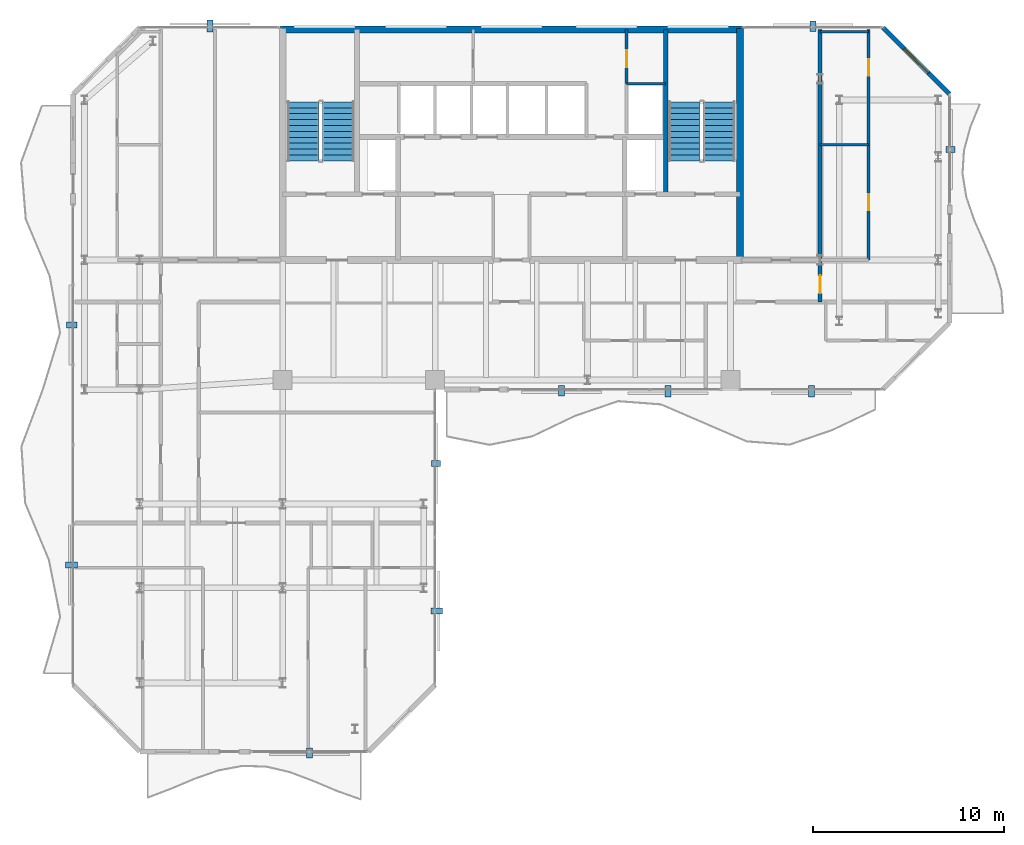
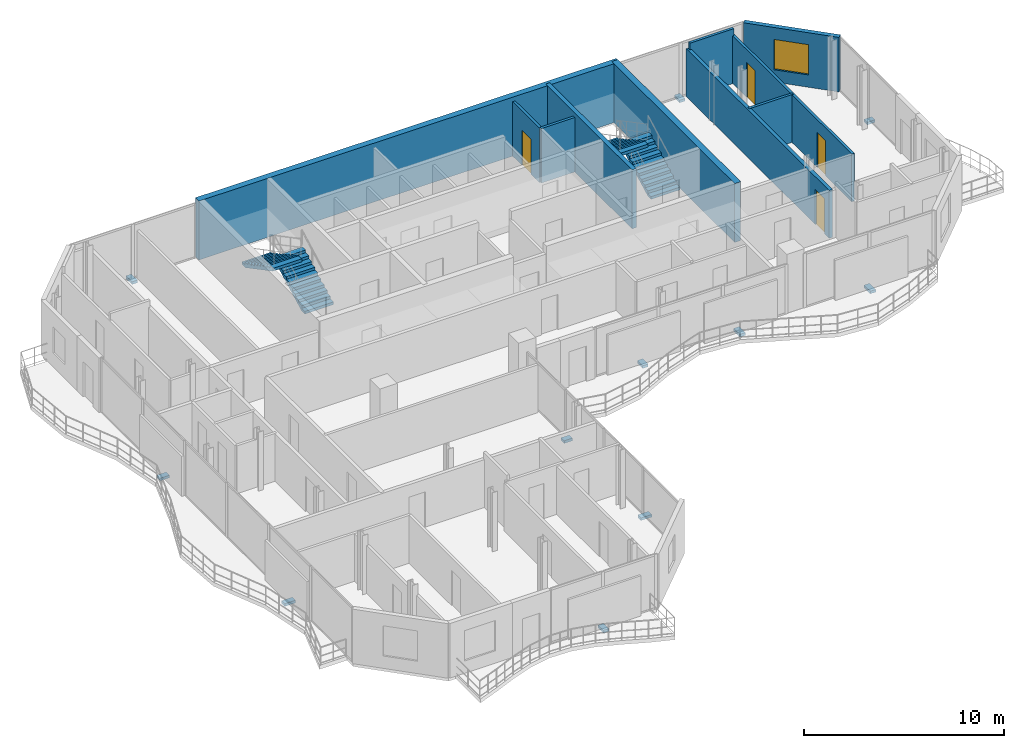
# One storey, part 20 of 23: 11 discrete accessories, 10 walls, 4 doors, 4 stair flights, 1 window, 5 openings, 2 elements without a shape of their own.
"""IFC4 building model written with IfcOpenShell, lengths in metres."""

from ifc_helpers import new_model, si_unit, direction, frame, frame_2d, origin, origin_2d, place, context, subcontext, project, spatial, polyline, rectangle, outline, extrude, material, layer, layer_set, type_object, element, fill, aggregate, save


model = new_model("IFC4")

# Units and contexts
model_context = context("Model", 3, precision=1e-05, world=origin(), true_north=direction((0.0, 1.0)))
body_context = subcontext(model_context, "Body", "Model", "MODEL_VIEW")
ifc_project = project(units=[si_unit("LENGTHUNIT", "METRE"), si_unit("AREAUNIT", "SQUARE_METRE"), si_unit("VOLUMEUNIT", "CUBIC_METRE"), si_unit("PLANEANGLEUNIT", "RADIAN"), si_unit("MASSUNIT", "GRAM", prefix="KILO")], contexts=[model_context])

# Site, building, storey
site_placement = place(None, origin())
site = spatial("IfcSite", under=ifc_project, at=site_placement, CompositionType="ELEMENT")
building_placement = place(site_placement, origin())
building = spatial("IfcBuilding", under=site, at=building_placement, Name="Catumbela Crestline Tower", CompositionType="ELEMENT")
storey_placement = place(building_placement, frame((0.0, 0.0, 193.8)))
storey = spatial("IfcBuildingStorey", under=building, at=storey_placement, Name="L50", CompositionType="ELEMENT", Elevation=193.8)

# Walls
ifc_material_1 = material(Name="Concrete C50/60", Category="concrete")
ifc_layer_1 = layer(ifc_material_1, 0.25, Name="Concrete C50/60")
ifc_layer_set_1 = layer_set([ifc_layer_1], Name="Concrete C50/60")
wall_type_1 = type_object("IfcWallType", Name="CW-250D", PredefinedType="SHEAR", material=ifc_layer_set_1)
wall_1_placement = place(storey_placement, frame((36.1, 34.25, 0.0), z_axis=(0.0, 0.0, 1.0), x_axis=(0.0, 1.0, 0.0)))
element("IfcWall", 1, at=wall_1_placement, inside=storey, type_object=wall_type_1, Name="L50 Structural Core Shear Wall EWEB", PredefinedType="SHEAR", context=body_context, shape_type="SweptSolid", body=[
    extrude(rectangle(XDim=8.65, YDim=0.25, at=frame_2d((4.325, 0.0))), origin(), (0.0, 0.0, 1.0), 3.6),
])
ifc_layer_2 = layer(ifc_material_1, 0.35, Name="Concrete C50/60")
ifc_layer_set_2 = layer_set([ifc_layer_2], Name="Concrete C50/60")
wall_type_2 = type_object("IfcWallType", Name="CW-350B", PredefinedType="SHEAR", material=ifc_layer_set_2)
wall_2_placement = place(storey_placement, frame((40.0, 30.65, 0.0), z_axis=(0.0, 0.0, 1.0), x_axis=(0.0, 1.0, 0.0)))
element("IfcWall", 2, at=wall_2_placement, inside=storey, type_object=wall_type_2, Name="L50 Structural Core Shear Wall E", PredefinedType="SHEAR", context=body_context, shape_type="SweptSolid", body=[
    extrude(rectangle(XDim=12.3, YDim=0.35, at=frame_2d((6.15, 0.0))), origin(), (0.0, 0.0, 1.0), 3.6),
])
ifc_layer_3 = layer(ifc_material_1, 0.35, Name="Concrete C50/60")
ifc_layer_set_3 = layer_set([ifc_layer_3], Name="Concrete C50/60")
wall_type_3 = type_object("IfcWallType", Name="CW-350E", PredefinedType="SHEAR", material=ifc_layer_set_3)
wall_3_placement = place(storey_placement, frame((15.85, 42.9, 0.0), z_axis=(0.0, 0.0, 1.0), x_axis=(1.0, 0.0, 0.0)))
element("IfcWall", 3, at=wall_3_placement, inside=storey, type_object=wall_type_3, Name="L50 Structural Core Shear Wall N", PredefinedType="SHEAR", context=body_context, shape_type="SweptSolid", body=[
    extrude(rectangle(XDim=24.3, YDim=0.35, at=frame_2d((12.15, 0.0))), origin(), (0.0, 0.0, 1.0), 3.6),
])

# Wall, opening, door
ifc_material_2 = material(Name="Acoustic gypsum and mineral-wool partition")
ifc_layer_4 = layer(ifc_material_2, 0.2, Name="Acoustic gypsum and mineral-wool partition")
ifc_layer_set_4 = layer_set([ifc_layer_4], Name="Acoustic gypsum and mineral-wool partition")
wall_type_4 = type_object("IfcWallType", Name="WC-200", PredefinedType="PARTITIONING", material=ifc_layer_set_4)
wall_4_placement = place(storey_placement, frame((44.2, 28.6, 0.0), z_axis=(0.0, 0.0, 1.0), x_axis=(0.0, 1.0, 0.0)))
wall_4 = element("IfcWall", 4, at=wall_4_placement, inside=storey, type_object=wall_type_4, Name="L50 Interior Partition PW-L50-NE1-ENT", PredefinedType="PARTITIONING", context=body_context, shape_type="SweptSolid", body=[
    extrude(rectangle(XDim=14.3, YDim=0.2, at=frame_2d((7.15, 0.0))), origin(), (0.0, 0.0, 1.0), 2.92),
])
opening_1_placement = place(wall_4_placement, frame((0.445, 0.0, 0.0)))
opening_1 = element("IfcOpeningElement", 5, at=opening_1_placement, cuts=wall_4, Name="Opening DF6-095", PredefinedType="OPENING", context=body_context, shape_type="SweptSolid", body=[
    extrude(rectangle(XDim=0.95, YDim=2.15, at=frame_2d((0.475, 1.075))), frame((0.0, 0.11, 0.0), z_axis=(0.0, -1.0, 0.0), x_axis=(1.0, 0.0, 0.0)), (0.0, 0.0, 1.0), 0.22),
])
ifc_material_3 = material(Name="Aluminium alloy AW-6060-T66", Category="aluminium")
door_type_1 = type_object("IfcDoorType", Name="DF6-095", OperationType="NOTDEFINED", PredefinedType="DOOR", material=ifc_material_3)
door_1_placement = place(opening_1_placement, origin())
door_1 = element("IfcDoor", 6, at=door_1_placement, inside=storey, type_object=door_type_1, Name="L50 Interior Door DR-L50-NE1-ENT", OperationType="SINGLE_SWING_LEFT", OverallHeight=2.15, OverallWidth=0.95, PredefinedType="DOOR", context=body_context, shape_type="SweptSolid", body=[
    extrude(rectangle(XDim=0.95, YDim=2.15, at=frame_2d((0.475, 1.075))), frame((0.0, 0.025, 0.0), z_axis=(0.0, -1.0, 0.0), x_axis=(1.0, 0.0, 0.0)), (0.0, 0.0, 1.0), 0.05),
])
fill(opening_1, door_1)

# Wall, opening, window
ifc_material_4 = material(Name="Angolan grey-ochre granite", Category="masonry")
ifc_layer_5 = layer(ifc_material_4, 0.25, Name="Angolan grey-ochre granite")
ifc_layer_set_5 = layer_set([ifc_layer_5], Name="Angolan grey-ochre granite")
wall_type_5 = type_object("IfcWallType", Name="WE-250", PredefinedType="STANDARD", material=ifc_layer_set_5)
wall_5_placement = place(storey_placement, frame((51.0, 39.5, 0.0), z_axis=(0.0, 0.0, 1.0), x_axis=(-0.707106781187, 0.707106781187, 0.0)))
wall_5 = element("IfcWall", 7, at=wall_5_placement, inside=storey, type_object=wall_type_5, Name="L50 Granite Punched Window Wall 6-1", PredefinedType="STANDARD", context=body_context, shape_type="SweptSolid", body=[
    extrude(rectangle(XDim=4.9497, YDim=0.25, at=frame_2d((2.4748, 0.0))), origin(), (0.0, 0.0, 1.0), 3.33),
])
opening_2_placement = place(wall_5_placement, frame((1.5749, 0.0, 0.75)))
opening_2 = element("IfcOpeningElement", 8, at=opening_2_placement, cuts=wall_5, Name="Opening WN-01", PredefinedType="OPENING", context=body_context, shape_type="SweptSolid", body=[
    extrude(rectangle(XDim=1.8, YDim=1.85, at=frame_2d((0.9, 0.925))), frame((0.0, 0.135, 0.0), z_axis=(0.0, -1.0, 0.0), x_axis=(1.0, 0.0, 0.0)), (0.0, 0.0, 1.0), 0.27),
])
ifc_material_5 = material(Name="Low-E laminated solar-control double glazing", Category="glass")
window_type = type_object("IfcWindowType", Name="WF-1800", PartitioningType="SINGLE_PANEL", PredefinedType="WINDOW", material=ifc_material_5)
window_placement = place(opening_2_placement, origin())
window = element("IfcWindow", 9, at=window_placement, inside=storey, type_object=window_type, Name="L50 Facade Vision Window 329", OverallHeight=1.85, OverallWidth=1.8, PartitioningType="SINGLE_PANEL", PredefinedType="WINDOW", context=body_context, shape_type="SweptSolid", body=[
    extrude(rectangle(XDim=1.8, YDim=1.85, at=frame_2d((0.9, 0.925))), frame((0.0, 0.03, 0.0), z_axis=(0.0, -1.0, 0.0), x_axis=(1.0, 0.0, 0.0)), (0.0, 0.0, 1.0), 0.06),
])
fill(opening_2, window)

# Wall
ifc_layer_6 = layer(ifc_material_2, 0.15, Name="Acoustic gypsum and mineral-wool partition")
ifc_layer_set_6 = layer_set([ifc_layer_6], Name="Acoustic gypsum and mineral-wool partition")
wall_type_6 = type_object("IfcWallType", Name="WP-150", PredefinedType="PARTITIONING", material=ifc_layer_set_6)
wall_6_placement = place(storey_placement, frame((34.05, 40.05, 0.0), z_axis=(0.0, 0.0, 1.0), x_axis=(1.0, 0.0, 0.0)))
element("IfcWall", 10, at=wall_6_placement, inside=storey, type_object=wall_type_6, Name="L50 Interior Partition PW-L50-CR-ES", PredefinedType="PARTITIONING", context=body_context, shape_type="SweptSolid", body=[
    extrude(rectangle(XDim=2.05, YDim=0.15, at=frame_2d((1.025, 0.0))), origin(), (0.0, 0.0, 1.0), 3.33),
])

# Wall, opening, door
wall_7_placement = place(storey_placement, frame((34.05, 40.05, 0.0), z_axis=(0.0, 0.0, 1.0), x_axis=(0.0, 1.0, 0.0)))
wall_7 = element("IfcWall", 11, at=wall_7_placement, inside=storey, type_object=wall_type_6, Name="L50 Interior Partition PW-L50-CR-EW", PredefinedType="PARTITIONING", context=body_context, shape_type="SweptSolid", body=[
    extrude(rectangle(XDim=2.85, YDim=0.15, at=frame_2d((1.425, 0.0))), origin(), (0.0, 0.0, 1.0), 3.33),
])
opening_3_placement = place(wall_7_placement, frame((0.865, 0.0, 0.0)))
opening_3 = element("IfcOpeningElement", 12, at=opening_3_placement, cuts=wall_7, Name="Opening DF9-090", PredefinedType="OPENING", context=body_context, shape_type="SweptSolid", body=[
    extrude(rectangle(XDim=0.9, YDim=2.15, at=frame_2d((0.45, 1.075))), frame((0.0, 0.085, 0.0), z_axis=(0.0, -1.0, 0.0), x_axis=(1.0, 0.0, 0.0)), (0.0, 0.0, 1.0), 0.17),
])
ifc_material_6 = material(Name="Stainless steel EN 1.4401", Category="steel")
door_type_2 = type_object("IfcDoorType", Name="DF9-090", OperationType="NOTDEFINED", PredefinedType="DOOR", material=ifc_material_6)
door_2_placement = place(opening_3_placement, origin())
door_2 = element("IfcDoor", 13, at=door_2_placement, inside=storey, type_object=door_type_2, Name="L50 Interior Door DR-L50-CREAST", OperationType="SINGLE_SWING_RIGHT", OverallHeight=2.15, OverallWidth=0.9, PredefinedType="DOOR", context=body_context, shape_type="SweptSolid", body=[
    extrude(rectangle(XDim=0.9, YDim=2.15, at=frame_2d((0.45, 1.075))), frame((0.0, 0.025, 0.0), z_axis=(0.0, -1.0, 0.0), x_axis=(1.0, 0.0, 0.0)), (0.0, 0.0, 1.0), 0.05),
])
fill(opening_3, door_2)

# Wall
wall_8_placement = place(storey_placement, frame((44.2, 36.85, 0.0), z_axis=(0.0, 0.0, 1.0), x_axis=(1.0, 0.0, 0.0)))
element("IfcWall", 14, at=wall_8_placement, inside=storey, type_object=wall_type_6, Name="L50 Interior Partition PW-L50-NE1-KBM", PredefinedType="PARTITIONING", context=body_context, shape_type="SweptSolid", body=[
    extrude(rectangle(XDim=2.546, YDim=0.15, at=frame_2d((1.273, 0.0))), origin(), (0.0, 0.0, 1.0), 2.92),
])

# Wall, openings, doors
wall_9_placement = place(storey_placement, frame((46.746, 30.8, 0.0), z_axis=(0.0, 0.0, 1.0), x_axis=(0.0, 1.0, 0.0)))
wall_9 = element("IfcWall", 15, at=wall_9_placement, inside=storey, type_object=wall_type_6, Name="L50 Interior Partition PW-L50-NE1-SK1", PredefinedType="PARTITIONING", context=body_context, shape_type="SweptSolid", body=[
    extrude(rectangle(XDim=12.1, YDim=0.15, at=frame_2d((6.05, 0.0))), origin(), (0.0, 0.0, 1.0), 2.92),
])
opening_4_placement = place(wall_9_placement, frame((2.6, 0.0, 0.0)))
opening_4 = element("IfcOpeningElement", 16, at=opening_4_placement, cuts=wall_9, Name="Opening DI-085", PredefinedType="OPENING", context=body_context, shape_type="SweptSolid", body=[
    extrude(rectangle(XDim=0.85, YDim=2.15, at=frame_2d((0.425, 1.075))), frame((0.0, 0.085, 0.0), z_axis=(0.0, -1.0, 0.0), x_axis=(1.0, 0.0, 0.0)), (0.0, 0.0, 1.0), 0.17),
])
opening_5_placement = place(wall_9_placement, frame((9.6823, 0.0, 0.0)))
opening_5 = element("IfcOpeningElement", 17, at=opening_5_placement, cuts=wall_9, Name="Opening DI-085", PredefinedType="OPENING", context=body_context, shape_type="SweptSolid", body=[
    extrude(rectangle(XDim=0.85, YDim=2.15, at=frame_2d((0.425, 1.075))), frame((0.0, 0.085, 0.0), z_axis=(0.0, -1.0, 0.0), x_axis=(1.0, 0.0, 0.0)), (0.0, 0.0, 1.0), 0.17),
])
door_type_3 = type_object("IfcDoorType", Name="DI-085", OperationType="NOTDEFINED", PredefinedType="DOOR", material=ifc_material_3)
door_3_placement = place(opening_4_placement, origin())
door_3 = element("IfcDoor", 18, at=door_3_placement, inside=storey, type_object=door_type_3, Name="L50 Interior Door DR-L50-NE1-KIT", OperationType="SINGLE_SWING_LEFT", OverallHeight=2.15, OverallWidth=0.85, PredefinedType="DOOR", context=body_context, shape_type="SweptSolid", body=[
    extrude(rectangle(XDim=0.85, YDim=2.15, at=frame_2d((0.425, 1.075))), frame((0.0, 0.025, 0.0), z_axis=(0.0, -1.0, 0.0), x_axis=(1.0, 0.0, 0.0)), (0.0, 0.0, 1.0), 0.05),
])
fill(opening_4, door_3)
door_4_placement = place(opening_5_placement, origin())
door_4 = element("IfcDoor", 19, at=door_4_placement, inside=storey, type_object=door_type_3, Name="L50 Interior Door DR-L50-NE1-BTH", OperationType="SINGLE_SWING_RIGHT", OverallHeight=2.15, OverallWidth=0.85, PredefinedType="DOOR", context=body_context, shape_type="SweptSolid", body=[
    extrude(rectangle(XDim=0.85, YDim=2.15, at=frame_2d((0.425, 1.075))), frame((0.0, 0.025, 0.0), z_axis=(0.0, -1.0, 0.0), x_axis=(1.0, 0.0, 0.0)), (0.0, 0.0, 1.0), 0.05),
])
fill(opening_5, door_4)

# Wall
wall_10_placement = place(storey_placement, frame((44.2, 42.78, 0.0), z_axis=(0.0, 0.0, 1.0), x_axis=(1.0, 0.0, 0.0)))
element("IfcWall", 20, at=wall_10_placement, inside=storey, type_object=wall_type_6, Name="L50 Interior Partition PW-L50-NE1-BTH-BCL-2", PredefinedType="PARTITIONING", context=body_context, shape_type="SweptSolid", body=[
    extrude(rectangle(XDim=2.546, YDim=0.15, at=frame_2d((1.273, 0.0))), origin(), (0.0, 0.0, 1.0), 3.33),
])

# Stair, stair flights
ifc_material_7 = material(Name="Concrete C45/55", Category="concrete")
stair_type = type_object("IfcStairType", Name="ST-DLG", PredefinedType="HALF_TURN_STAIR", material=ifc_material_7)
stair_1_placement = place(storey_placement, origin())
stair_1 = element("IfcStair", 21, at=stair_1_placement, inside=storey, type_object=stair_type, Name="L50 West Core Pressurised Exit Stair ST-01", PredefinedType="HALF_TURN_STAIR")
stair_flight_type = type_object("IfcStairFlightType", Name="SF-1636", PredefinedType="STRAIGHT", material=ifc_material_7)
stair_flight_1_placement = place(storey_placement, frame((18.92, 36.0, 0.0), z_axis=(0.0, 0.0, 1.0), x_axis=(0.0, 1.0, 0.0)))
stair_flight_1 = element("IfcStairFlight", 22, at=stair_flight_1_placement, type_object=stair_flight_type, Name="ST-01 flight 1", NumberOfRisers=11, NumberOfTreads=10, PredefinedType="STRAIGHT", RiserHeight=0.163636364, TreadLength=0.31, context=body_context, shape_type="SweptSolid", body=[
    extrude(outline(polyline([(0.0, 0.0), (0.0, 0.1636), (0.31, 0.1636), (0.31, 0.3273), (0.62, 0.3273), (0.62, 0.4909), (0.93, 0.4909), (0.93, 0.6545), (1.24, 0.6545), (1.24, 0.8182), (1.55, 0.8182), (1.55, 0.9818), (1.86, 0.9818), (1.86, 1.1455), (2.17, 1.1455), (2.17, 1.3091), (2.48, 1.3091), (2.48, 1.4727), (2.79, 1.4727), (2.79, 1.6364), (3.1, 1.6364), (3.1, 1.8), (3.1, 1.4554), (0.3427, 0.0), (0.0, 0.0)])), frame((0.0, 0.83, 0.0), z_axis=(0.0, -1.0, 0.0), x_axis=(1.0, 0.0, 0.0)), (0.0, 0.0, 1.0), 1.66),
])
stair_flight_2_placement = place(storey_placement, frame((17.08, 39.1, 1.8), z_axis=(0.0, 0.0, 1.0), x_axis=(0.0, -1.0, 0.0)))
stair_flight_2 = element("IfcStairFlight", 23, at=stair_flight_2_placement, type_object=stair_flight_type, Name="ST-01 flight 2", NumberOfRisers=11, NumberOfTreads=10, PredefinedType="STRAIGHT", RiserHeight=0.163636364, TreadLength=0.31, context=body_context, shape_type="SweptSolid", body=[
    extrude(outline(polyline([(0.0, 0.0), (0.0, 0.1636), (0.31, 0.1636), (0.31, 0.3273), (0.62, 0.3273), (0.62, 0.4909), (0.93, 0.4909), (0.93, 0.6545), (1.24, 0.6545), (1.24, 0.8182), (1.55, 0.8182), (1.55, 0.9818), (1.86, 0.9818), (1.86, 1.1455), (2.17, 1.1455), (2.17, 1.3091), (2.48, 1.3091), (2.48, 1.4727), (2.79, 1.4727), (2.79, 1.6364), (3.1, 1.6364), (3.1, 1.8), (3.1, 1.4554), (0.3427, 0.0), (0.0, 0.0)])), frame((0.0, 0.83, 0.0), z_axis=(0.0, -1.0, 0.0), x_axis=(1.0, 0.0, 0.0)), (0.0, 0.0, 1.0), 1.66),
])
aggregate(stair_1, [stair_flight_1, stair_flight_2])

stair_2_placement = place(storey_placement, origin())
stair_2 = element("IfcStair", 24, at=stair_2_placement, inside=storey, type_object=stair_type, Name="L50 East Core Pressurised Exit Stair ST-02", PredefinedType="HALF_TURN_STAIR")
stair_flight_3_placement = place(storey_placement, frame((38.92, 36.0, 0.0), z_axis=(0.0, 0.0, 1.0), x_axis=(0.0, 1.0, 0.0)))
stair_flight_3 = element("IfcStairFlight", 25, at=stair_flight_3_placement, type_object=stair_flight_type, Name="ST-02 flight 1", NumberOfRisers=11, NumberOfTreads=10, PredefinedType="STRAIGHT", RiserHeight=0.163636364, TreadLength=0.31, context=body_context, shape_type="SweptSolid", body=[
    extrude(outline(polyline([(0.0, 0.0), (0.0, 0.1636), (0.31, 0.1636), (0.31, 0.3273), (0.62, 0.3273), (0.62, 0.4909), (0.93, 0.4909), (0.93, 0.6545), (1.24, 0.6545), (1.24, 0.8182), (1.55, 0.8182), (1.55, 0.9818), (1.86, 0.9818), (1.86, 1.1455), (2.17, 1.1455), (2.17, 1.3091), (2.48, 1.3091), (2.48, 1.4727), (2.79, 1.4727), (2.79, 1.6364), (3.1, 1.6364), (3.1, 1.8), (3.1, 1.4554), (0.3427, 0.0), (0.0, 0.0)])), frame((0.0, 0.83, 0.0), z_axis=(0.0, -1.0, 0.0), x_axis=(1.0, 0.0, 0.0)), (0.0, 0.0, 1.0), 1.66),
])
stair_flight_4_placement = place(storey_placement, frame((37.08, 39.1, 1.8), z_axis=(0.0, 0.0, 1.0), x_axis=(0.0, -1.0, 0.0)))
stair_flight_4 = element("IfcStairFlight", 26, at=stair_flight_4_placement, type_object=stair_flight_type, Name="ST-02 flight 2", NumberOfRisers=11, NumberOfTreads=10, PredefinedType="STRAIGHT", RiserHeight=0.163636364, TreadLength=0.31, context=body_context, shape_type="SweptSolid", body=[
    extrude(outline(polyline([(0.0, 0.0), (0.0, 0.1636), (0.31, 0.1636), (0.31, 0.3273), (0.62, 0.3273), (0.62, 0.4909), (0.93, 0.4909), (0.93, 0.6545), (1.24, 0.6545), (1.24, 0.8182), (1.55, 0.8182), (1.55, 0.9818), (1.86, 0.9818), (1.86, 1.1455), (2.17, 1.1455), (2.17, 1.3091), (2.48, 1.3091), (2.48, 1.4727), (2.79, 1.4727), (2.79, 1.6364), (3.1, 1.6364), (3.1, 1.8), (3.1, 1.4554), (0.3427, 0.0), (0.0, 0.0)])), frame((0.0, 0.83, 0.0), z_axis=(0.0, -1.0, 0.0), x_axis=(1.0, 0.0, 0.0)), (0.0, 0.0, 1.0), 1.66),
])
aggregate(stair_2, [stair_flight_3, stair_flight_4])

# Discrete accessories
discrete_accessory_type = type_object("IfcDiscreteAccessoryType", Name="BK-SS1", PredefinedType="BRACKET", material=ifc_material_6)
discrete_accessory_1_placement = place(storey_placement, frame((17.4, 4.935, -0.18), z_axis=(0.0, 0.0, 1.0), x_axis=(1.0, 0.0, 0.0)))
element("IfcDiscreteAccessory", 27, at=discrete_accessory_1_placement, inside=storey, type_object=discrete_accessory_type, Name="L50 Solar Screen Stainless Bracket 592", PredefinedType="BRACKET", context=body_context, shape_type="SweptSolid", body=[
    extrude(rectangle(XDim=0.32, YDim=0.54, at=origin_2d()), origin(), (0.0, 0.0, 1.0), 0.16),
])
discrete_accessory_2_placement = place(storey_placement, frame((24.085, 12.375, -0.18), z_axis=(0.0, 0.0, 1.0), x_axis=(0.0, 1.0, 0.0)))
element("IfcDiscreteAccessory", 28, at=discrete_accessory_2_placement, inside=storey, type_object=discrete_accessory_type, Name="L50 Solar Screen Stainless Bracket 593", PredefinedType="BRACKET", context=body_context, shape_type="SweptSolid", body=[
    extrude(rectangle(XDim=0.32, YDim=0.62, at=origin_2d()), origin(), (0.0, 0.0, 1.0), 0.16),
])
discrete_accessory_3_placement = place(storey_placement, frame((24.045, 20.125, -0.18), z_axis=(0.0, 0.0, 1.0), x_axis=(0.0, 1.0, 0.0)))
element("IfcDiscreteAccessory", 29, at=discrete_accessory_3_placement, inside=storey, type_object=discrete_accessory_type, Name="L50 Solar Screen Stainless Bracket 594", PredefinedType="BRACKET", context=body_context, shape_type="SweptSolid", body=[
    extrude(rectangle(XDim=0.32, YDim=0.46, at=origin_2d()), origin(), (0.0, 0.0, 1.0), 0.16),
])
discrete_accessory_4_placement = place(storey_placement, frame((30.6375, 23.935, -0.18), z_axis=(0.0, 0.0, 1.0), x_axis=(1.0, 0.0, 0.0)))
element("IfcDiscreteAccessory", 30, at=discrete_accessory_4_placement, inside=storey, type_object=discrete_accessory_type, Name="L50 Solar Screen Stainless Bracket 595", PredefinedType="BRACKET", context=body_context, shape_type="SweptSolid", body=[
    extrude(rectangle(XDim=0.32, YDim=0.54, at=origin_2d()), origin(), (0.0, 0.0, 1.0), 0.16),
])
for number, where, z_axis, x_axis, name in (
    (31, (36.2125, 23.915, -0.18), (0.0, 0.0, 1.0), (1.0, 0.0, 0.0), "L50 Solar Screen Stainless Bracket 596"),
    (32, (43.75, 23.915, -0.18), (0.0, 0.0, 1.0), (1.0, 0.0, 0.0), "L50 Solar Screen Stainless Bracket 597"),
):
    element("IfcDiscreteAccessory", number, at=place(storey_placement, frame(where, z_axis=z_axis, x_axis=x_axis)), inside=storey, type_object=discrete_accessory_type, Name=name, PredefinedType="BRACKET", context=body_context, shape_type="SweptSolid", body=[
        extrude(rectangle(XDim=0.32, YDim=0.62, at=origin_2d()), origin(), (0.0, 0.0, 1.0), 0.16),
    ])
discrete_accessory_5_placement = place(storey_placement, frame((51.045, 36.6, -0.18), z_axis=(0.0, 0.0, 1.0), x_axis=(0.0, 1.0, 0.0)))
element("IfcDiscreteAccessory", 33, at=discrete_accessory_5_placement, inside=storey, type_object=discrete_accessory_type, Name="L50 Solar Screen Stainless Bracket 598", PredefinedType="BRACKET", context=body_context, shape_type="SweptSolid", body=[
    extrude(rectangle(XDim=0.32, YDim=0.46, at=origin_2d()), origin(), (0.0, 0.0, 1.0), 0.16),
])
discrete_accessory_6_placement = place(storey_placement, frame((43.82, 43.065, -0.18), z_axis=(0.0, 0.0, 1.0), x_axis=(-1.0, 0.0, 0.0)))
element("IfcDiscreteAccessory", 34, at=discrete_accessory_6_placement, inside=storey, type_object=discrete_accessory_type, Name="L50 Solar Screen Stainless Bracket 599", PredefinedType="BRACKET", context=body_context, shape_type="SweptSolid", body=[
    extrude(rectangle(XDim=0.32, YDim=0.54, at=origin_2d()), origin(), (0.0, 0.0, 1.0), 0.16),
])
discrete_accessory_7_placement = place(storey_placement, frame((12.18, 43.085, -0.18), z_axis=(0.0, 0.0, 1.0), x_axis=(-1.0, 0.0, 0.0)))
element("IfcDiscreteAccessory", 35, at=discrete_accessory_7_placement, inside=storey, type_object=discrete_accessory_type, Name="L50 Solar Screen Stainless Bracket 600", PredefinedType="BRACKET", context=body_context, shape_type="SweptSolid", body=[
    extrude(rectangle(XDim=0.32, YDim=0.62, at=origin_2d()), origin(), (0.0, 0.0, 1.0), 0.16),
])
discrete_accessory_8_placement = place(storey_placement, frame((4.935, 27.4, -0.18), z_axis=(0.0, 0.0, 1.0), x_axis=(0.0, -1.0, 0.0)))
element("IfcDiscreteAccessory", 36, at=discrete_accessory_8_placement, inside=storey, type_object=discrete_accessory_type, Name="L50 Solar Screen Stainless Bracket 601", PredefinedType="BRACKET", context=body_context, shape_type="SweptSolid", body=[
    extrude(rectangle(XDim=0.32, YDim=0.54, at=origin_2d()), origin(), (0.0, 0.0, 1.0), 0.16),
])
discrete_accessory_9_placement = place(storey_placement, frame((4.915, 14.8, -0.18), z_axis=(0.0, 0.0, 1.0), x_axis=(0.0, -1.0, 0.0)))
element("IfcDiscreteAccessory", 37, at=discrete_accessory_9_placement, inside=storey, type_object=discrete_accessory_type, Name="L50 Solar Screen Stainless Bracket 602", PredefinedType="BRACKET", context=body_context, shape_type="SweptSolid", body=[
    extrude(rectangle(XDim=0.32, YDim=0.62, at=origin_2d()), origin(), (0.0, 0.0, 1.0), 0.16),
])

save(model, "model.ifc")
